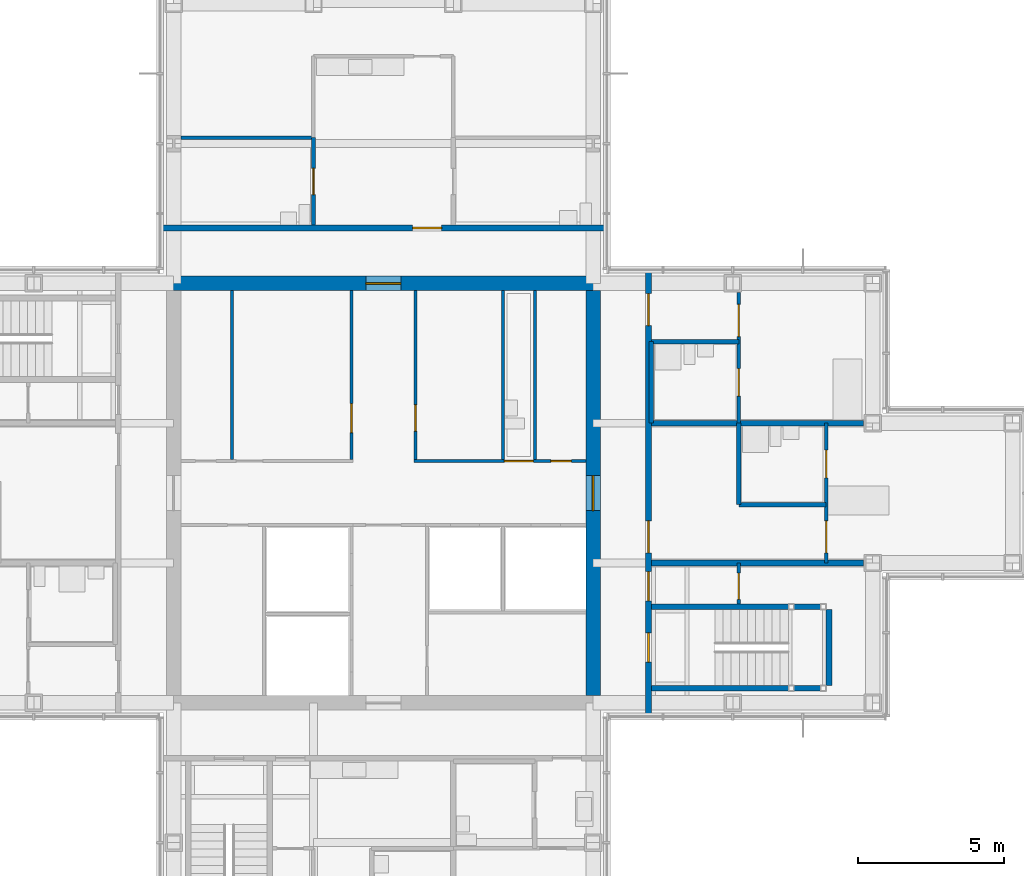
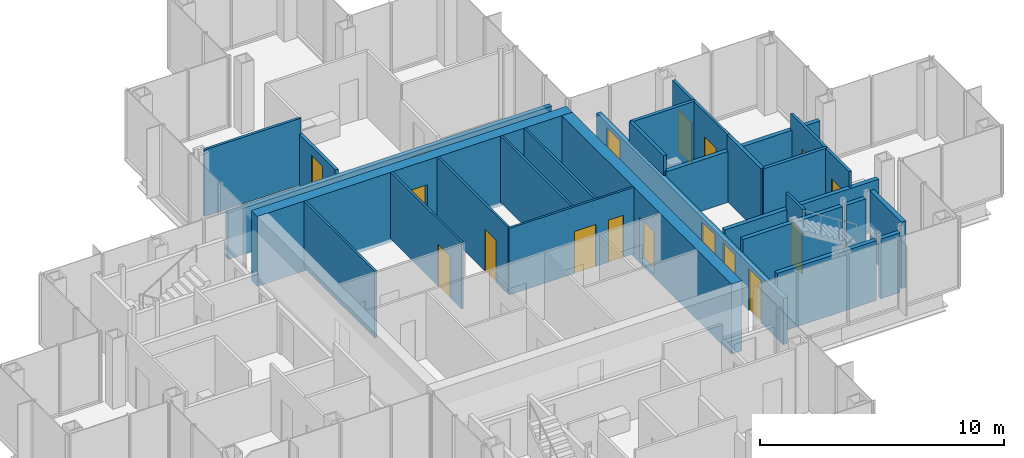
# One storey, part 13 of 17: 26 walls, 17 doors, 17 openings.
"""IFC4 building model written with IfcOpenShell, lengths in metres."""

from ifc_helpers import new_model, si_unit, direction, frame, frame_2d, origin, place, context, subcontext, project, spatial, rectangle, extrude, material, layer, layer_set, type_object, element, fill, save


model = new_model("IFC4")

# Units and contexts
model_context = context("Model", 3, precision=1e-05, world=origin(), true_north=direction((0.0, 1.0)))
body_context = subcontext(model_context, "Body", "Model", "MODEL_VIEW")
ifc_project = project(units=[si_unit("LENGTHUNIT", "METRE"), si_unit("AREAUNIT", "SQUARE_METRE"), si_unit("VOLUMEUNIT", "CUBIC_METRE"), si_unit("PLANEANGLEUNIT", "RADIAN"), si_unit("MASSUNIT", "GRAM", prefix="KILO")], contexts=[model_context])

# Site, building, storey
site_placement = place(None, origin())
site = spatial("IfcSite", under=ifc_project, at=site_placement, CompositionType="ELEMENT")
building_placement = place(site_placement, origin())
building = spatial("IfcBuilding", under=site, at=building_placement, Name="Kvirike Care Tower", CompositionType="ELEMENT")
storey_placement = place(building_placement, frame((0.0, 0.0, 155.0)))
storey = spatial("IfcBuildingStorey", under=building, at=storey_placement, Name="L42", CompositionType="ELEMENT", Elevation=155.0)

# Wall, opening, door
ifc_material_1 = material(Name="Moisture-resistant board partition", Category="gypsum")
ifc_layer_1 = layer(ifc_material_1, 0.14990234375)
ifc_layer_set_1 = layer_set([ifc_layer_1], Name="BATHROOM WALL 150")
wall_type_1 = type_object("IfcWallType", Name="BATHROOM WALL 150", PredefinedType="PARTITIONING", material=ifc_layer_set_1)
wall_1_placement = place(storey_placement, frame((19.199951171875, 48.199951171875, 0.0), z_axis=(0.0, 0.0, 1.0), x_axis=(0.0, -1.0, 0.0)))
wall_1 = element("IfcWall", 1, at=wall_1_placement, inside=storey, type_object=wall_type_1, Name="Bathroom Wall 150 L42", PredefinedType="PARTITIONING", context=body_context, shape_type="SweptSolid", body=[
    extrude(rectangle(XDim=3.0, YDim=0.14990234375, at=frame_2d((1.5, 0.0))), origin(), (0.0, 0.0, 1.0), 2.550048828125),
])
opening_1_placement = place(wall_1_placement, frame((1.050048828125, 0.0, 0.0)))
opening_1 = element("IfcOpeningElement", 2, at=opening_1_placement, cuts=wall_1, Name="Opening 42-018", PredefinedType="OPENING", context=body_context, shape_type="SweptSolid", body=[
    extrude(rectangle(XDim=0.89990234375, YDim=2.10009765625, at=frame_2d((0.449951171875, 1.050048828125))), frame((0.0, 0.08544921875, 0.0), z_axis=(0.0, -1.0, 0.0), x_axis=(1.0, 0.0, 0.0)), (0.0, 0.0, 1.0), 0.1708984375),
])
ifc_material_2 = material(Name="Timber door set", Category="wood")
door_type_1 = type_object("IfcDoorType", Name="BATHROOM DOOR 900", OperationType="SINGLE_SWING_RIGHT", PredefinedType="DOOR", material=ifc_material_2)
door_1_placement = place(opening_1_placement, frame((0.89990234375, 0.0, 0.0), z_axis=(0.0, 0.0, 1.0), x_axis=(-1.0, 0.0, 0.0)))
door_1 = element("IfcDoor", 3, at=door_1_placement, inside=storey, type_object=door_type_1, Name="Staff WC door", OperationType="SINGLE_SWING_RIGHT", OverallHeight=2.10009765625, OverallWidth=0.89990234375, PredefinedType="DOOR", context=body_context, shape_type="SweptSolid", body=[
    extrude(rectangle(XDim=0.89990234375, YDim=2.10009765625, at=frame_2d((0.449951171875, 1.050048828125))), frame((0.0, 0.02197265625, 0.0), z_axis=(0.0, -1.0, 0.0), x_axis=(1.0, 0.0, 0.0)), (0.0, 0.0, 1.0), 0.0439453125),
])
fill(opening_1, door_1)

# Walls
wall_2_placement = place(storey_placement, frame((36.800048828125, 35.60009765625, 0.0), z_axis=(0.0, 0.0, 1.0), x_axis=(-1.0, 0.0, 0.0)))
element("IfcWall", 4, at=wall_2_placement, inside=storey, type_object=wall_type_1, Name="Bathroom Wall 150 L42", PredefinedType="PARTITIONING", context=body_context, shape_type="SweptSolid", body=[
    extrude(rectangle(XDim=3.0, YDim=0.14990234375, at=frame_2d((1.5, 0.0))), origin(), (0.0, 0.0, 1.0), 3.330078125),
])
wall_3_placement = place(storey_placement, frame((33.800048828125, 35.60009765625, 0.0), z_axis=(0.0, 0.0, 1.0), x_axis=(0.0, 1.0, 0.0)))
element("IfcWall", 5, at=wall_3_placement, inside=storey, type_object=wall_type_1, Name="Bathroom Wall 150 L42", PredefinedType="PARTITIONING", context=body_context, shape_type="SweptSolid", body=[
    extrude(rectangle(XDim=2.7998046875, YDim=0.14990234375, at=frame_2d((1.39990234375, 0.0))), origin(), (0.0, 0.0, 1.0), 3.330078125),
])
wall_4_placement = place(storey_placement, frame((33.800048828125, 41.199951171875, 0.0), z_axis=(0.0, 0.0, 1.0), x_axis=(-1.0, 0.0, 0.0)))
element("IfcWall", 6, at=wall_4_placement, inside=storey, type_object=wall_type_1, Name="Bathroom Wall 150 L42", PredefinedType="PARTITIONING", context=body_context, shape_type="SweptSolid", body=[
    extrude(rectangle(XDim=3.0, YDim=0.14990234375, at=frame_2d((1.5, 0.0))), origin(), (0.0, 0.0, 1.0), 3.330078125),
])
wall_5_placement = place(storey_placement, frame((30.800048828125, 38.39990234375, 0.0), z_axis=(0.0, 0.0, 1.0), x_axis=(0.0, 1.0, 0.0)))
element("IfcWall", 7, at=wall_5_placement, inside=storey, type_object=wall_type_1, Name="Bathroom Wall 150 L42", PredefinedType="PARTITIONING", context=body_context, shape_type="SweptSolid", body=[
    extrude(rectangle(XDim=2.800048828125, YDim=0.14990234375, at=frame_2d((1.39990234375, 0.0))), origin(), (0.0, 0.0, 1.0), 3.330078125),
])

# Wall, opening, door
ifc_material_3 = material(Name="Concrete C45/55", Category="concrete")
ifc_layer_2 = layer(ifc_material_3, 0.5)
ifc_layer_set_2 = layer_set([ifc_layer_2], Name="CORE WALL 500 C45-55")
wall_type_2 = type_object("IfcWallType", Name="CORE WALL 500 C45-55", PredefinedType="SHEAR", material=ifc_layer_set_2)
wall_6_placement = place(storey_placement, frame((29.050048828125, 43.199951171875, -0.169921875), z_axis=(0.0, 0.0, 1.0), x_axis=(-1.0, 0.0, 0.0)))
wall_6 = element("IfcWall", 8, at=wall_6_placement, inside=storey, type_object=wall_type_2, Name="Core wall N L42", PredefinedType="SHEAR", context=body_context, shape_type="SweptSolid", body=[
    extrude(rectangle(XDim=14.900146484375, YDim=0.5, at=frame_2d((7.4501953125, 0.0))), origin(), (0.0, 0.0, 1.0), 3.5),
])
opening_2_placement = place(wall_6_placement, frame((6.85009765625, 0.0, 0.169921875)))
opening_2 = element("IfcOpeningElement", 9, at=opening_2_placement, cuts=wall_6, Name="Opening 42-046", PredefinedType="OPENING", context=body_context, shape_type="SweptSolid", body=[
    extrude(rectangle(XDim=1.199951171875, YDim=2.10009765625, at=frame_2d((0.60009765625, 1.050048828125))), frame((0.0, 0.260498046875, 0.0), z_axis=(0.0, -1.0, 0.0), x_axis=(1.0, 0.0, 0.0)), (0.0, 0.0, 1.0), 0.52099609375),
])
ifc_material_4 = material(Name="Timber door set", Category="wood")
door_type_2 = type_object("IfcDoorType", Name="CORE DOOR 1200", OperationType="SINGLE_SWING_LEFT", PredefinedType="DOOR", material=ifc_material_4)
door_2_placement = place(opening_2_placement, origin())
door_2 = element("IfcDoor", 10, at=door_2_placement, inside=storey, type_object=door_type_2, Name="Core door N L42", OperationType="SINGLE_SWING_LEFT", OverallHeight=2.10009765625, OverallWidth=1.199951171875, PredefinedType="DOOR", context=body_context, shape_type="SweptSolid", body=[
    extrude(rectangle(XDim=1.199951171875, YDim=2.10009765625, at=frame_2d((0.60009765625, 1.050048828125))), frame((0.0, 0.02685546875, 0.0), z_axis=(0.0, -1.0, 0.0), x_axis=(1.0, 0.0, 0.0)), (0.0, 0.0, 1.0), 0.053955078125),
])
fill(opening_2, door_2)

wall_7_placement = place(storey_placement, frame((28.800048828125, 29.050048828125, -0.169921875), z_axis=(0.0, 0.0, 1.0), x_axis=(0.0, 1.0, 0.0)))
wall_7 = element("IfcWall", 11, at=wall_7_placement, inside=storey, type_object=wall_type_2, Name="Core wall E L42", PredefinedType="SHEAR", context=body_context, shape_type="SweptSolid", body=[
    extrude(rectangle(XDim=13.89990234375, YDim=0.5, at=frame_2d((6.949951171875, 0.0))), origin(), (0.0, 0.0, 1.0), 3.5),
])
opening_3_placement = place(wall_7_placement, frame((6.35009765625, 0.0, 0.169921875)))
opening_3 = element("IfcOpeningElement", 12, at=opening_3_placement, cuts=wall_7, Name="Opening 42-045", PredefinedType="OPENING", context=body_context, shape_type="SweptSolid", body=[
    extrude(rectangle(XDim=1.199951171875, YDim=2.10009765625, at=frame_2d((0.60009765625, 1.050048828125))), frame((0.0, 0.260498046875, 0.0), z_axis=(0.0, -1.0, 0.0), x_axis=(1.0, 0.0, 0.0)), (0.0, 0.0, 1.0), 0.52099609375),
])
door_3_placement = place(opening_3_placement, origin())
door_3 = element("IfcDoor", 13, at=door_3_placement, inside=storey, type_object=door_type_2, Name="Core door E L42", OperationType="SINGLE_SWING_LEFT", OverallHeight=2.10009765625, OverallWidth=1.199951171875, PredefinedType="DOOR", context=body_context, shape_type="SweptSolid", body=[
    extrude(rectangle(XDim=1.199951171875, YDim=2.10009765625, at=frame_2d((0.60009765625, 1.050048828125))), frame((0.0, 0.02685546875, 0.0), z_axis=(0.0, -1.0, 0.0), x_axis=(1.0, 0.0, 0.0)), (0.0, 0.0, 1.0), 0.053955078125),
])
fill(opening_3, door_3)

ifc_material_5 = material(Name="Plasterboard corridor wall", Category="gypsum")
ifc_layer_3 = layer(ifc_material_5, 0.199951171875)
ifc_layer_set_3 = layer_set([ifc_layer_3], Name="CORRIDOR WALL 200")
wall_type_3 = type_object("IfcWallType", Name="CORRIDOR WALL 200", PredefinedType="PARTITIONING", material=ifc_layer_set_3)
wall_8_placement = place(storey_placement, frame((29.25, 45.10009765625, 0.0), z_axis=(0.0, 0.0, 1.0), x_axis=(-1.0, 0.0, 0.0)))
wall_8 = element("IfcWall", 14, at=wall_8_placement, inside=storey, type_object=wall_type_3, Name="Corridor Wall 200 L42", PredefinedType="PARTITIONING", context=body_context, shape_type="SweptSolid", body=[
    extrude(rectangle(XDim=15.300048828125, YDim=0.199951171875, at=frame_2d((7.64990234375, 0.0))), origin(), (0.0, 0.0, 1.0), 2.320068359375),
])
opening_4_placement = place(wall_8_placement, frame((5.64990234375, 0.0, 0.0)))
opening_4 = element("IfcOpeningElement", 15, at=opening_4_placement, cuts=wall_8, Name="Opening 42-020", PredefinedType="OPENING", context=body_context, shape_type="SweptSolid", body=[
    extrude(rectangle(XDim=1.0, YDim=2.10009765625, at=frame_2d((0.5, 1.050048828125))), frame((0.0, 0.110595703125, 0.0), z_axis=(0.0, -1.0, 0.0), x_axis=(1.0, 0.0, 0.0)), (0.0, 0.0, 1.0), 0.220947265625),
])
ifc_material_6 = material(Name="Timber door set", Category="wood")
door_type_3 = type_object("IfcDoorType", Name="FLAT ENTRANCE DOOR 1000", OperationType="SINGLE_SWING_LEFT", PredefinedType="DOOR", material=ifc_material_6)
door_4_placement = place(opening_4_placement, frame((1.0, 0.0, 0.0), z_axis=(0.0, 0.0, 1.0), x_axis=(-1.0, 0.0, 0.0)))
door_4 = element("IfcDoor", 16, at=door_4_placement, inside=storey, type_object=door_type_3, Name="Household lounge and dining room entrance", OperationType="SINGLE_SWING_LEFT", OverallHeight=2.10009765625, OverallWidth=1.0, PredefinedType="DOOR", context=body_context, shape_type="SweptSolid", body=[
    extrude(rectangle(XDim=1.0, YDim=2.10009765625, at=frame_2d((0.5, 1.050048828125))), frame((0.0, 0.02685546875, 0.0), z_axis=(0.0, -1.0, 0.0), x_axis=(1.0, 0.0, 0.0)), (0.0, 0.0, 1.0), 0.053955078125),
])
fill(opening_4, door_4)

# Wall, openings, doors
wall_9_placement = place(storey_placement, frame((30.699951171875, 28.35009765625, 0.0), z_axis=(0.0, 0.0, 1.0), x_axis=(0.0, 1.0, 0.0)))
wall_9 = element("IfcWall", 17, at=wall_9_placement, inside=storey, type_object=wall_type_3, Name="Corridor Wall 200 L42", PredefinedType="PARTITIONING", context=body_context, shape_type="SweptSolid", body=[
    extrude(rectangle(XDim=15.2998046875, YDim=0.199951171875, at=frame_2d((7.64990234375, 0.0))), origin(), (0.0, 0.0, 1.0), 2.320068359375),
])
opening_5_placement = place(wall_9_placement, frame((1.85009765625, 0.0, 0.0)))
opening_5 = element("IfcOpeningElement", 18, at=opening_5_placement, cuts=wall_9, Name="Opening 42-026", PredefinedType="OPENING", context=body_context, shape_type="SweptSolid", body=[
    extrude(rectangle(XDim=1.0, YDim=2.10009765625, at=frame_2d((0.5, 1.050048828125))), frame((0.0, 0.110595703125, 0.0), z_axis=(0.0, -1.0, 0.0), x_axis=(1.0, 0.0, 0.0)), (0.0, 0.0, 1.0), 0.220947265625),
])
opening_6_placement = place(wall_9_placement, frame((3.949951171875, 0.0, 0.0)))
opening_6 = element("IfcOpeningElement", 19, at=opening_6_placement, cuts=wall_9, Name="Opening 42-027", PredefinedType="OPENING", context=body_context, shape_type="SweptSolid", body=[
    extrude(rectangle(XDim=1.0, YDim=2.10009765625, at=frame_2d((0.5, 1.050048828125))), frame((0.0, 0.110595703125, 0.0), z_axis=(0.0, -1.0, 0.0), x_axis=(1.0, 0.0, 0.0)), (0.0, 0.0, 1.0), 0.220947265625),
])
opening_7_placement = place(wall_9_placement, frame((5.60009765625, 0.0, 0.0)))
opening_7 = element("IfcOpeningElement", 20, at=opening_7_placement, cuts=wall_9, Name="Opening 42-028", PredefinedType="OPENING", context=body_context, shape_type="SweptSolid", body=[
    extrude(rectangle(XDim=1.10009765625, YDim=2.10009765625, at=frame_2d((0.550048828125, 1.050048828125))), frame((0.0, 0.110595703125, 0.0), z_axis=(0.0, -1.0, 0.0), x_axis=(1.0, 0.0, 0.0)), (0.0, 0.0, 1.0), 0.220947265625),
])
opening_8_placement = place(wall_9_placement, frame((13.39990234375, 0.0, 0.0)))
opening_8 = element("IfcOpeningElement", 21, at=opening_8_placement, cuts=wall_9, Name="Opening 42-029", PredefinedType="OPENING", context=body_context, shape_type="SweptSolid", body=[
    extrude(rectangle(XDim=1.10009765625, YDim=2.10009765625, at=frame_2d((0.550048828125, 1.050048828125))), frame((0.0, 0.110595703125, 0.0), z_axis=(0.0, -1.0, 0.0), x_axis=(1.0, 0.0, 0.0)), (0.0, 0.0, 1.0), 0.220947265625),
])
ifc_material_7 = material(Name="Timber door set", Category="wood")
door_type_4 = type_object("IfcDoorType", Name="BEDROOM ENTRANCE DOOR 1100", OperationType="SINGLE_SWING_LEFT", PredefinedType="DOOR", material=ifc_material_7)
door_5_placement = place(opening_7_placement, frame((1.10009765625, 0.0, 0.0), z_axis=(0.0, 0.0, 1.0), x_axis=(-1.0, 0.0, 0.0)))
door_5 = element("IfcDoor", 22, at=door_5_placement, inside=storey, type_object=door_type_4, Name="Memory care bedroom entrance", OperationType="SINGLE_SWING_LEFT", OverallHeight=2.10009765625, OverallWidth=1.10009765625, PredefinedType="DOOR", context=body_context, shape_type="SweptSolid", body=[
    extrude(rectangle(XDim=1.10009765625, YDim=2.10009765625, at=frame_2d((0.550048828125, 1.050048828125))), frame((0.0, 0.02685546875, 0.0), z_axis=(0.0, -1.0, 0.0), x_axis=(1.0, 0.0, 0.0)), (0.0, 0.0, 1.0), 0.053955078125),
])
fill(opening_7, door_5)
door_6_placement = place(opening_8_placement, frame((1.10009765625, 0.0, 0.0), z_axis=(0.0, 0.0, 1.0), x_axis=(-1.0, 0.0, 0.0)))
door_6 = element("IfcDoor", 23, at=door_6_placement, inside=storey, type_object=door_type_4, Name="Memory care bedroom entrance", OperationType="SINGLE_SWING_RIGHT", OverallHeight=2.10009765625, OverallWidth=1.10009765625, PredefinedType="DOOR", context=body_context, shape_type="SweptSolid", body=[
    extrude(rectangle(XDim=1.10009765625, YDim=2.10009765625, at=frame_2d((0.550048828125, 1.050048828125))), frame((0.0, 0.02685546875, 0.0), z_axis=(0.0, -1.0, 0.0), x_axis=(1.0, 0.0, 0.0)), (0.0, 0.0, 1.0), 0.053955078125),
])
fill(opening_8, door_6)
door_7_placement = place(opening_6_placement, frame((1.0, 0.0, 0.0), z_axis=(0.0, 0.0, 1.0), x_axis=(-1.0, 0.0, 0.0)))
door_7 = element("IfcDoor", 24, at=door_7_placement, inside=storey, type_object=door_type_3, Name="Care base entrance", OperationType="SINGLE_SWING_LEFT", OverallHeight=2.10009765625, OverallWidth=1.0, PredefinedType="DOOR", context=body_context, shape_type="SweptSolid", body=[
    extrude(rectangle(XDim=1.0, YDim=2.10009765625, at=frame_2d((0.5, 1.050048828125))), frame((0.0, 0.02685546875, 0.0), z_axis=(0.0, -1.0, 0.0), x_axis=(1.0, 0.0, 0.0)), (0.0, 0.0, 1.0), 0.053955078125),
])
fill(opening_6, door_7)
ifc_material_8 = material(Name="Timber door set", Category="wood")
door_type_5 = type_object("IfcDoorType", Name="STAIR DOOR 1000", OperationType="SINGLE_SWING_LEFT", PredefinedType="DOOR", material=ifc_material_8)
door_8_placement = place(opening_5_placement, frame((1.0, 0.0, 0.0), z_axis=(0.0, 0.0, 1.0), x_axis=(-1.0, 0.0, 0.0)))
door_8 = element("IfcDoor", 25, at=door_8_placement, inside=storey, type_object=door_type_5, Name="Stair 2 door", OperationType="SINGLE_SWING_LEFT", OverallHeight=2.10009765625, OverallWidth=1.0, PredefinedType="DOOR", context=body_context, shape_type="SweptSolid", body=[
    extrude(rectangle(XDim=1.0, YDim=2.10009765625, at=frame_2d((0.5, 1.050048828125))), frame((0.0, 0.031982421875, 0.0), z_axis=(0.0, -1.0, 0.0), x_axis=(1.0, 0.0, 0.0)), (0.0, 0.0, 1.0), 0.06396484375),
])
fill(opening_5, door_8)

# Wall
ifc_material_9 = material(Name="Plasterboard partition", Category="gypsum")
ifc_layer_4 = layer(ifc_material_9, 0.1201171875)
ifc_layer_set_4 = layer_set([ifc_layer_4], Name="PARTITION 120")
wall_type_4 = type_object("IfcWallType", Name="PARTITION 120", PredefinedType="PARTITIONING", material=ifc_layer_set_4)
wall_10_placement = place(storey_placement, frame((19.199951171875, 48.199951171875, 0.0), z_axis=(0.0, 0.0, 1.0), x_axis=(-1.0, 0.0, 0.0)))
element("IfcWall", 26, at=wall_10_placement, inside=storey, type_object=wall_type_4, Name="Partition 120 L42", PredefinedType="PARTITIONING", context=body_context, shape_type="SweptSolid", body=[
    extrude(rectangle(XDim=4.552978515625, YDim=0.1201171875, at=frame_2d((2.2763671875, 0.0))), origin(), (0.0, 0.0, 1.0), 3.330078125),
])

# Wall, opening, door
wall_11_placement = place(storey_placement, frame((33.800048828125, 32.199951171875, 0.0), z_axis=(0.0, 0.0, 1.0), x_axis=(0.0, 1.0, 0.0)))
wall_11 = element("IfcWall", 27, at=wall_11_placement, inside=storey, type_object=wall_type_4, Name="Partition 120 L42", PredefinedType="PARTITIONING", context=body_context, shape_type="SweptSolid", body=[
    extrude(rectangle(XDim=1.400146484375, YDim=0.1201171875, at=frame_2d((0.7001953125, 0.0))), origin(), (0.0, 0.0, 1.0), 3.330078125),
])
opening_9_placement = place(wall_11_placement, frame((0.14990234375, 0.0, 0.0)))
opening_9 = element("IfcOpeningElement", 28, at=opening_9_placement, cuts=wall_11, Name="Opening 42-021", PredefinedType="OPENING", context=body_context, shape_type="SweptSolid", body=[
    extrude(rectangle(XDim=0.89990234375, YDim=2.10009765625, at=frame_2d((0.449951171875, 1.050048828125))), frame((0.0, 0.070556640625, 0.0), z_axis=(0.0, -1.0, 0.0), x_axis=(1.0, 0.0, 0.0)), (0.0, 0.0, 1.0), 0.14111328125),
])
ifc_material_10 = material(Name="Timber door set", Category="wood")
door_type_6 = type_object("IfcDoorType", Name="INTERNAL DOOR 900", OperationType="SINGLE_SWING_LEFT", PredefinedType="DOOR", material=ifc_material_10)
door_9_placement = place(opening_9_placement, origin())
door_9 = element("IfcDoor", 29, at=door_9_placement, inside=storey, type_object=door_type_6, Name="Quiet room door", OperationType="SINGLE_SWING_RIGHT", OverallHeight=2.10009765625, OverallWidth=0.89990234375, PredefinedType="DOOR", context=body_context, shape_type="SweptSolid", body=[
    extrude(rectangle(XDim=0.89990234375, YDim=2.10009765625, at=frame_2d((0.449951171875, 1.050048828125))), frame((0.0, 0.02197265625, 0.0), z_axis=(0.0, -1.0, 0.0), x_axis=(1.0, 0.0, 0.0)), (0.0, 0.0, 1.0), 0.0439453125),
])
fill(opening_9, door_9)

# Wall, openings, doors
wall_12_placement = place(storey_placement, frame((36.800048828125, 33.60009765625, 0.0), z_axis=(0.0, 0.0, 1.0), x_axis=(0.0, 1.0, 0.0)))
wall_12 = element("IfcWall", 30, at=wall_12_placement, inside=storey, type_object=wall_type_4, Name="Partition 120 L42", PredefinedType="PARTITIONING", context=body_context, shape_type="SweptSolid", body=[
    extrude(rectangle(XDim=4.7998046875, YDim=0.1201171875, at=frame_2d((2.39990234375, 0.0))), origin(), (0.0, 0.0, 1.0), 3.330078125),
])
opening_10_placement = place(wall_12_placement, frame((0.35009765625, 0.0, 0.0)))
opening_10 = element("IfcOpeningElement", 31, at=opening_10_placement, cuts=wall_12, Name="Opening 42-022", PredefinedType="OPENING", context=body_context, shape_type="SweptSolid", body=[
    extrude(rectangle(XDim=1.10009765625, YDim=2.10009765625, at=frame_2d((0.550048828125, 1.050048828125))), frame((0.0, 0.070556640625, 0.0), z_axis=(0.0, -1.0, 0.0), x_axis=(1.0, 0.0, 0.0)), (0.0, 0.0, 1.0), 0.14111328125),
])
opening_11_placement = place(wall_12_placement, frame((2.925048828125, 0.0, 0.0)))
opening_11 = element("IfcOpeningElement", 32, at=opening_11_placement, cuts=wall_12, Name="Opening 42-023", PredefinedType="OPENING", context=body_context, shape_type="SweptSolid", body=[
    extrude(rectangle(XDim=0.949951171875, YDim=2.10009765625, at=frame_2d((0.47509765625, 1.050048828125))), frame((0.0, 0.070556640625, 0.0), z_axis=(0.0, -1.0, 0.0), x_axis=(1.0, 0.0, 0.0)), (0.0, 0.0, 1.0), 0.14111328125),
])
ifc_material_11 = material(Name="Timber door set", Category="wood")
door_type_7 = type_object("IfcDoorType", Name="BEDROOM DOOR 1100", OperationType="SINGLE_SWING_LEFT", PredefinedType="DOOR", material=ifc_material_11)
door_10_placement = place(opening_10_placement, origin())
door_10 = element("IfcDoor", 33, at=door_10_placement, inside=storey, type_object=door_type_7, Name="Memory care bedroom door", OperationType="SINGLE_SWING_RIGHT", OverallHeight=2.10009765625, OverallWidth=1.10009765625, PredefinedType="DOOR", context=body_context, shape_type="SweptSolid", body=[
    extrude(rectangle(XDim=1.10009765625, YDim=2.10009765625, at=frame_2d((0.550048828125, 1.050048828125))), frame((0.0, 0.02197265625, 0.0), z_axis=(0.0, -1.0, 0.0), x_axis=(1.0, 0.0, 0.0)), (0.0, 0.0, 1.0), 0.0439453125),
])
fill(opening_10, door_10)
ifc_material_12 = material(Name="Timber door set", Category="wood")
door_type_8 = type_object("IfcDoorType", Name="EN-SUITE SLIDING DOOR 950", OperationType="SLIDING_TO_LEFT", PredefinedType="DOOR", material=ifc_material_12)
door_11_placement = place(opening_11_placement, origin())
door_11 = element("IfcDoor", 34, at=door_11_placement, inside=storey, type_object=door_type_8, Name="En-suite door", OperationType="SLIDING_TO_LEFT", OverallHeight=2.10009765625, OverallWidth=0.949951171875, PredefinedType="DOOR", context=body_context, shape_type="SweptSolid", body=[
    extrude(rectangle(XDim=0.949951171875, YDim=2.10009765625, at=frame_2d((0.47509765625, 1.050048828125))), frame((0.0, 0.02197265625, 0.0), z_axis=(0.0, -1.0, 0.0), x_axis=(1.0, 0.0, 0.0)), (0.0, 0.0, 1.0), 0.0439453125),
])
fill(opening_11, door_11)

wall_13_placement = place(storey_placement, frame((33.800048828125, 38.39990234375, 0.0), z_axis=(0.0, 0.0, 1.0), x_axis=(0.0, 1.0, 0.0)))
wall_13 = element("IfcWall", 35, at=wall_13_placement, inside=storey, type_object=wall_type_4, Name="Partition 120 L42", PredefinedType="PARTITIONING", context=body_context, shape_type="SweptSolid", body=[
    extrude(rectangle(XDim=4.47998046875, YDim=0.1201171875, at=frame_2d((2.239990234375, 0.0))), origin(), (0.0, 0.0, 1.0), 3.330078125),
])
opening_12_placement = place(wall_13_placement, frame((2.97509765625, 0.0, 0.0)))
opening_12 = element("IfcOpeningElement", 36, at=opening_12_placement, cuts=wall_13, Name="Opening 42-024", PredefinedType="OPENING", context=body_context, shape_type="SweptSolid", body=[
    extrude(rectangle(XDim=1.10009765625, YDim=2.10009765625, at=frame_2d((0.550048828125, 1.050048828125))), frame((0.0, 0.070556640625, 0.0), z_axis=(0.0, -1.0, 0.0), x_axis=(1.0, 0.0, 0.0)), (0.0, 0.0, 1.0), 0.14111328125),
])
opening_13_placement = place(wall_13_placement, frame((0.925048828125, 0.0, 0.0)))
opening_13 = element("IfcOpeningElement", 37, at=opening_13_placement, cuts=wall_13, Name="Opening 42-025", PredefinedType="OPENING", context=body_context, shape_type="SweptSolid", body=[
    extrude(rectangle(XDim=0.949951171875, YDim=2.10009765625, at=frame_2d((0.47509765625, 1.050048828125))), frame((0.0, 0.070556640625, 0.0), z_axis=(0.0, -1.0, 0.0), x_axis=(1.0, 0.0, 0.0)), (0.0, 0.0, 1.0), 0.14111328125),
])
door_12_placement = place(opening_12_placement, origin())
door_12 = element("IfcDoor", 38, at=door_12_placement, inside=storey, type_object=door_type_7, Name="Memory care bedroom door", OperationType="SINGLE_SWING_RIGHT", OverallHeight=2.10009765625, OverallWidth=1.10009765625, PredefinedType="DOOR", context=body_context, shape_type="SweptSolid", body=[
    extrude(rectangle(XDim=1.10009765625, YDim=2.10009765625, at=frame_2d((0.550048828125, 1.050048828125))), frame((0.0, 0.02197265625, 0.0), z_axis=(0.0, -1.0, 0.0), x_axis=(1.0, 0.0, 0.0)), (0.0, 0.0, 1.0), 0.0439453125),
])
fill(opening_12, door_12)
door_13_placement = place(opening_13_placement, origin())
door_13 = element("IfcDoor", 39, at=door_13_placement, inside=storey, type_object=door_type_8, Name="En-suite door", OperationType="SLIDING_TO_LEFT", OverallHeight=2.10009765625, OverallWidth=0.949951171875, PredefinedType="DOOR", context=body_context, shape_type="SweptSolid", body=[
    extrude(rectangle(XDim=0.949951171875, YDim=2.10009765625, at=frame_2d((0.47509765625, 1.050048828125))), frame((0.0, 0.02197265625, 0.0), z_axis=(0.0, -1.0, 0.0), x_axis=(1.0, 0.0, 0.0)), (0.0, 0.0, 1.0), 0.0439453125),
])
fill(opening_13, door_13)

# Walls
ifc_material_13 = material(Name="Plasterboard party wall", Category="gypsum")
ifc_layer_5 = layer(ifc_material_13, 0.199951171875)
ifc_layer_set_5 = layer_set([ifc_layer_5], Name="PARTY WALL 200")
wall_type_5 = type_object("IfcWallType", Name="PARTY WALL 200", PredefinedType="PARTITIONING", material=ifc_layer_set_5)
for number, where, z_axis, x_axis, name in (
    (40, (38.080078125, 33.60009765625, 0.0), (0.0, 0.0, 1.0), (-1.0, 0.0, 0.0), "Party Wall 200 L42"),
    (41, (38.080078125, 38.39990234375, 0.0), (0.0, 0.0, 1.0), (-1.0, 0.0, 0.0), "Party Wall 200 L42"),
):
    element("IfcWall", number, at=place(storey_placement, frame(where, z_axis=z_axis, x_axis=x_axis)), inside=storey, type_object=wall_type_5, Name=name, PredefinedType="PARTITIONING", context=body_context, shape_type="SweptSolid", body=[
        extrude(rectangle(XDim=7.280029296875, YDim=0.199951171875, at=frame_2d((3.64013671875, 0.0))), origin(), (0.0, 0.0, 1.0), 2.550048828125),
    ])
ifc_material_14 = material(Name="Gypsum shaft wall system", Category="gypsum")
ifc_layer_6 = layer(ifc_material_14, 0.10009765625)
ifc_layer_set_6 = layer_set([ifc_layer_6], Name="SHAFT WALL 100")
wall_type_6 = type_object("IfcWallType", Name="SHAFT WALL 100", PredefinedType="SOLIDWALL", material=ifc_layer_set_6)
for number, where, z_axis, x_axis, name in (
    (42, (16.39990234375, 37.14990234375, 0.0), (0.0, 0.0, 1.0), (0.0, 1.0, 0.0), "Shaft Wall 100 L42"),
    (43, (26.800048828125, 37.14990234375, 0.0), (0.0, 0.0, 1.0), (0.0, 1.0, 0.0), "Shaft Wall 100 L42"),
):
    element("IfcWall", number, at=place(storey_placement, frame(where, z_axis=z_axis, x_axis=x_axis)), inside=storey, type_object=wall_type_6, Name=name, PredefinedType="SOLIDWALL", context=body_context, shape_type="SweptSolid", body=[
        extrude(rectangle(XDim=5.800048828125, YDim=0.10009765625, at=frame_2d((2.89990234375, 0.0))), origin(), (0.0, 0.0, 1.0), 3.330078125),
    ])

# Wall, opening, door
wall_14_placement = place(storey_placement, frame((20.5, 37.14990234375, 0.0), z_axis=(0.0, 0.0, 1.0), x_axis=(0.0, 1.0, 0.0)))
wall_14 = element("IfcWall", 44, at=wall_14_placement, inside=storey, type_object=wall_type_6, Name="Shaft Wall 100 L42", PredefinedType="SOLIDWALL", context=body_context, shape_type="SweptSolid", body=[
    extrude(rectangle(XDim=5.800048828125, YDim=0.10009765625, at=frame_2d((2.89990234375, 0.0))), origin(), (0.0, 0.0, 1.0), 3.330078125),
])
opening_14_placement = place(wall_14_placement, frame((0.925048828125, 0.0, 0.0)))
opening_14 = element("IfcOpeningElement", 45, at=opening_14_placement, cuts=wall_14, Name="Opening 42-032", PredefinedType="OPENING", context=body_context, shape_type="SweptSolid", body=[
    extrude(rectangle(XDim=1.0, YDim=2.10009765625, at=frame_2d((0.5, 1.050048828125))), frame((0.0, 0.060546875, 0.0), z_axis=(0.0, -1.0, 0.0), x_axis=(1.0, 0.0, 0.0)), (0.0, 0.0, 1.0), 0.12109375),
])
ifc_material_15 = material(Name="Timber door set", Category="wood")
door_type_9 = type_object("IfcDoorType", Name="WC DOOR 1000", OperationType="SINGLE_SWING_LEFT", PredefinedType="DOOR", material=ifc_material_15)
door_14_placement = place(opening_14_placement, origin())
door_14 = element("IfcDoor", 46, at=door_14_placement, inside=storey, type_object=door_type_9, Name="Staff WC door", OperationType="SINGLE_SWING_RIGHT", OverallHeight=2.10009765625, OverallWidth=1.0, PredefinedType="DOOR", context=body_context, shape_type="SweptSolid", body=[
    extrude(rectangle(XDim=1.0, YDim=2.10009765625, at=frame_2d((0.5, 1.050048828125))), frame((0.0, 0.02685546875, 0.0), z_axis=(0.0, -1.0, 0.0), x_axis=(1.0, 0.0, 0.0)), (0.0, 0.0, 1.0), 0.053955078125),
])
fill(opening_14, door_14)

wall_15_placement = place(storey_placement, frame((22.699951171875, 37.14990234375, 0.0), z_axis=(0.0, 0.0, 1.0), x_axis=(0.0, 1.0, 0.0)))
wall_15 = element("IfcWall", 47, at=wall_15_placement, inside=storey, type_object=wall_type_6, Name="Shaft Wall 100 L42", PredefinedType="SOLIDWALL", context=body_context, shape_type="SweptSolid", body=[
    extrude(rectangle(XDim=5.800048828125, YDim=0.10009765625, at=frame_2d((2.89990234375, 0.0))), origin(), (0.0, 0.0, 1.0), 3.330078125),
])
opening_15_placement = place(wall_15_placement, frame((0.97509765625, 0.0, 0.0)))
opening_15 = element("IfcOpeningElement", 48, at=opening_15_placement, cuts=wall_15, Name="Opening 42-033", PredefinedType="OPENING", context=body_context, shape_type="SweptSolid", body=[
    extrude(rectangle(XDim=0.89990234375, YDim=2.10009765625, at=frame_2d((0.449951171875, 1.050048828125))), frame((0.0, 0.060546875, 0.0), z_axis=(0.0, -1.0, 0.0), x_axis=(1.0, 0.0, 0.0)), (0.0, 0.0, 1.0), 0.12109375),
])
ifc_material_16 = material(Name="Timber door set", Category="wood")
door_type_10 = type_object("IfcDoorType", Name="STORE DOOR 900", OperationType="SINGLE_SWING_LEFT", PredefinedType="DOOR", material=ifc_material_16)
door_15_placement = place(opening_15_placement, frame((0.89990234375, 0.0, 0.0), z_axis=(0.0, 0.0, 1.0), x_axis=(-1.0, 0.0, 0.0)))
door_15 = element("IfcDoor", 49, at=door_15_placement, inside=storey, type_object=door_type_10, Name="Housekeeping office door", OperationType="SINGLE_SWING_LEFT", OverallHeight=2.10009765625, OverallWidth=0.89990234375, PredefinedType="DOOR", context=body_context, shape_type="SweptSolid", body=[
    extrude(rectangle(XDim=0.89990234375, YDim=2.10009765625, at=frame_2d((0.449951171875, 1.050048828125))), frame((0.0, 0.02685546875, 0.0), z_axis=(0.0, -1.0, 0.0), x_axis=(1.0, 0.0, 0.0)), (0.0, 0.0, 1.0), 0.053955078125),
])
fill(opening_15, door_15)

# Wall, openings, doors
wall_16_placement = place(storey_placement, frame((22.64990234375, 37.10009765625, 0.0), z_axis=(0.0, 0.0, 1.0), x_axis=(1.0, 0.0, 0.0)))
wall_16 = element("IfcWall", 50, at=wall_16_placement, inside=storey, type_object=wall_type_6, Name="Shaft Wall 100 L42", PredefinedType="SOLIDWALL", context=body_context, shape_type="SweptSolid", body=[
    extrude(rectangle(XDim=5.900146484375, YDim=0.10009765625, at=frame_2d((2.9501953125, 0.0))), origin(), (0.0, 0.0, 1.0), 3.330078125),
])
opening_16_placement = place(wall_16_placement, frame((3.10009765625, 0.0, 0.0)))
opening_16 = element("IfcOpeningElement", 51, at=opening_16_placement, cuts=wall_16, Name="Opening 42-040", PredefinedType="OPENING", context=body_context, shape_type="SweptSolid", body=[
    extrude(rectangle(XDim=1.0, YDim=2.10009765625, at=frame_2d((0.5, 1.050048828125))), frame((0.0, 0.060546875, 0.0), z_axis=(0.0, -1.0, 0.0), x_axis=(1.0, 0.0, 0.0)), (0.0, 0.0, 1.0), 0.12109375),
])
opening_17_placement = place(wall_16_placement, frame((4.699951171875, 0.0, 0.0)))
opening_17 = element("IfcOpeningElement", 52, at=opening_17_placement, cuts=wall_16, Name="Opening 42-041", PredefinedType="OPENING", context=body_context, shape_type="SweptSolid", body=[
    extrude(rectangle(XDim=0.699951171875, YDim=2.10009765625, at=frame_2d((0.35009765625, 1.050048828125))), frame((0.0, 0.060546875, 0.0), z_axis=(0.0, -1.0, 0.0), x_axis=(1.0, 0.0, 0.0)), (0.0, 0.0, 1.0), 0.12109375),
])
ifc_material_17 = material(Name="Timber door set", Category="wood")
door_type_11 = type_object("IfcDoorType", Name="RISER DOOR 700", OperationType="SINGLE_SWING_LEFT", PredefinedType="DOOR", material=ifc_material_17)
door_16_placement = place(opening_17_placement, origin())
door_16 = element("IfcDoor", 53, at=door_16_placement, inside=storey, type_object=door_type_11, Name="Riser door", OperationType="SINGLE_SWING_LEFT", OverallHeight=2.10009765625, OverallWidth=0.699951171875, PredefinedType="DOOR", context=body_context, shape_type="SweptSolid", body=[
    extrude(rectangle(XDim=0.699951171875, YDim=2.10009765625, at=frame_2d((0.35009765625, 1.050048828125))), frame((0.0, 0.02685546875, 0.0), z_axis=(0.0, -1.0, 0.0), x_axis=(1.0, 0.0, 0.0)), (0.0, 0.0, 1.0), 0.053955078125),
])
fill(opening_17, door_16)
door_17_placement = place(opening_16_placement, origin())
door_17 = element("IfcDoor", 54, at=door_17_placement, inside=storey, type_object=door_type_9, Name="Staff WC door", OperationType="SINGLE_SWING_LEFT", OverallHeight=2.10009765625, OverallWidth=1.0, PredefinedType="DOOR", context=body_context, shape_type="SweptSolid", body=[
    extrude(rectangle(XDim=1.0, YDim=2.10009765625, at=frame_2d((0.5, 1.050048828125))), frame((0.0, 0.02685546875, 0.0), z_axis=(0.0, -1.0, 0.0), x_axis=(1.0, 0.0, 0.0)), (0.0, 0.0, 1.0), 0.053955078125),
])
fill(opening_16, door_17)

# Walls
wall_17_placement = place(storey_placement, frame((25.699951171875, 37.14990234375, 0.0), z_axis=(0.0, 0.0, 1.0), x_axis=(0.0, 1.0, 0.0)))
element("IfcWall", 55, at=wall_17_placement, inside=storey, type_object=wall_type_6, Name="Shaft Wall 100 L42", PredefinedType="SOLIDWALL", context=body_context, shape_type="SweptSolid", body=[
    extrude(rectangle(XDim=5.800048828125, YDim=0.10009765625, at=frame_2d((2.89990234375, 0.0))), origin(), (0.0, 0.0, 1.0), 3.330078125),
])
ifc_material_18 = material(Name="Concrete C40/50", Category="concrete")
ifc_layer_7 = layer(ifc_material_18, 0.199951171875)
ifc_layer_set_7 = layer_set([ifc_layer_7], Name="STAIR WALL 200")
wall_type_7 = type_object("IfcWallType", Name="STAIR WALL 200", PredefinedType="SOLIDWALL", material=ifc_layer_set_7)
wall_18_placement = place(storey_placement, frame((36.60009765625, 29.300048828125, 0.0), z_axis=(0.0, 0.0, 1.0), x_axis=(-1.0, 0.0, 0.0)))
element("IfcWall", 56, at=wall_18_placement, inside=storey, type_object=wall_type_7, Name="Stair Wall 200 L42", PredefinedType="SOLIDWALL", context=body_context, shape_type="SweptSolid", body=[
    extrude(rectangle(XDim=0.900146484375, YDim=0.199951171875, at=frame_2d((0.4501953125, 0.0))), origin(), (0.0, 0.0, 1.0), 2.989990234375),
])
wall_19_placement = place(storey_placement, frame((35.5, 29.300048828125, 0.0), z_axis=(0.0, 0.0, 1.0), x_axis=(-1.0, 0.0, 0.0)))
element("IfcWall", 57, at=wall_19_placement, inside=storey, type_object=wall_type_7, Name="Stair Wall 200 L42", PredefinedType="SOLIDWALL", context=body_context, shape_type="SweptSolid", body=[
    extrude(rectangle(XDim=4.699951171875, YDim=0.199951171875, at=frame_2d((2.35009765625, 0.0))), origin(), (0.0, 0.0, 1.0), 2.989990234375),
])
wall_20_placement = place(storey_placement, frame((36.60009765625, 32.10009765625, 0.0), z_axis=(0.0, 0.0, 1.0), x_axis=(-1.0, 0.0, 0.0)))
element("IfcWall", 58, at=wall_20_placement, inside=storey, type_object=wall_type_7, Name="Stair Wall 200 L42", PredefinedType="SOLIDWALL", context=body_context, shape_type="SweptSolid", body=[
    extrude(rectangle(XDim=0.900146484375, YDim=0.199951171875, at=frame_2d((0.4501953125, 0.0))), origin(), (0.0, 0.0, 1.0), 2.989990234375),
])
wall_21_placement = place(storey_placement, frame((35.5, 32.10009765625, 0.0), z_axis=(0.0, 0.0, 1.0), x_axis=(-1.0, 0.0, 0.0)))
element("IfcWall", 59, at=wall_21_placement, inside=storey, type_object=wall_type_7, Name="Stair Wall 200 L42", PredefinedType="SOLIDWALL", context=body_context, shape_type="SweptSolid", body=[
    extrude(rectangle(XDim=4.699951171875, YDim=0.199951171875, at=frame_2d((2.35009765625, 0.0))), origin(), (0.0, 0.0, 1.0), 2.989990234375),
])
wall_22_placement = place(storey_placement, frame((36.89990234375, 29.39990234375, 0.0), z_axis=(0.0, 0.0, 1.0), x_axis=(0.0, 1.0, 0.0)))
element("IfcWall", 60, at=wall_22_placement, inside=storey, type_object=wall_type_7, Name="Stair Wall 200 L42", PredefinedType="SOLIDWALL", context=body_context, shape_type="SweptSolid", body=[
    extrude(rectangle(XDim=2.60009765625, YDim=0.199951171875, at=frame_2d((1.300048828125, 0.0))), origin(), (0.0, 0.0, 1.0), 3.330078125),
])

save(model, "model.ifc")
